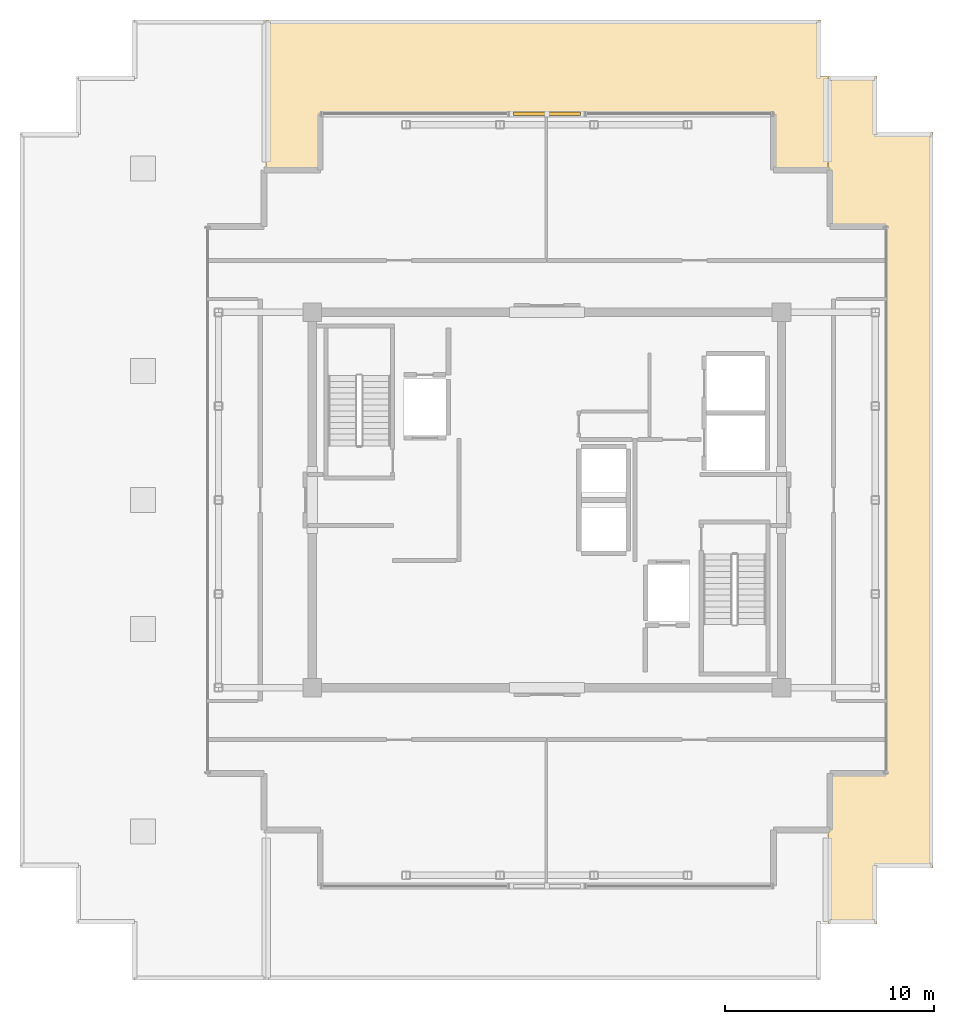
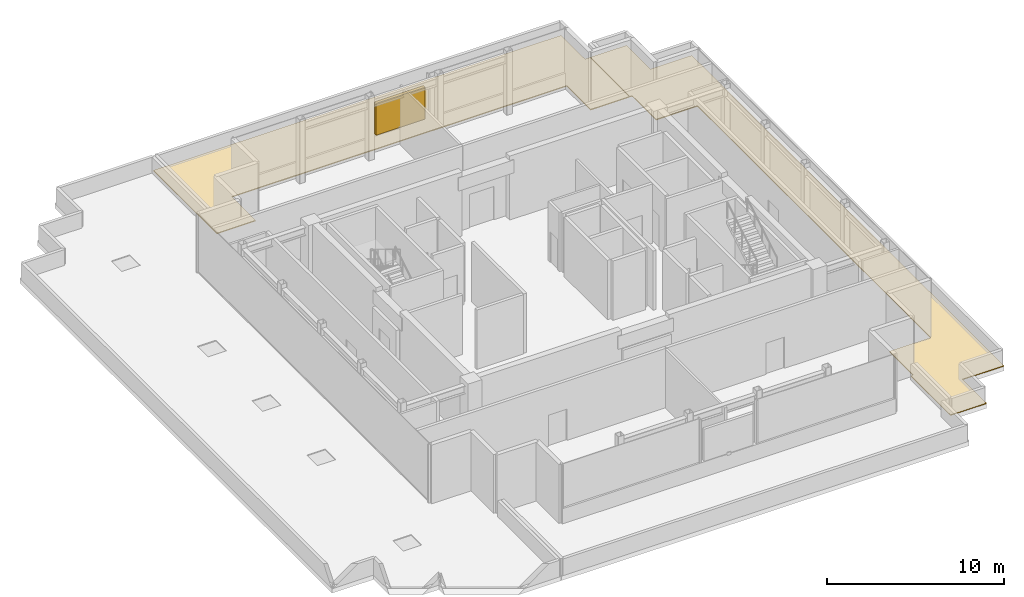
# One storey, part 14 of 14: 2 coverings, 1 shading device.
"""IFC4 building model written with IfcOpenShell, lengths in metres."""

from ifc_helpers import new_model, si_unit, direction, frame, origin, origin_2d, place, context, subcontext, project, spatial, polyline, rectangle, outline, extrude, source, transform, mapped, material, layer, layer_set, type_object, element, save


model = new_model("IFC4")

# Units and contexts
model_context = context("Model", 3, precision=1e-05, world=origin(), true_north=direction((0.0, 1.0)))
body_context = subcontext(model_context, "Body", "Model", "MODEL_VIEW")
ifc_project = project(units=[si_unit("LENGTHUNIT", "METRE"), si_unit("AREAUNIT", "SQUARE_METRE"), si_unit("VOLUMEUNIT", "CUBIC_METRE"), si_unit("PLANEANGLEUNIT", "RADIAN"), si_unit("MASSUNIT", "GRAM", prefix="KILO")], contexts=[model_context])

# Site, building, storey
site_placement = place(None, origin())
site = spatial("IfcSite", under=ifc_project, at=site_placement, CompositionType="ELEMENT")
building_placement = place(site_placement, origin())
building = spatial("IfcBuilding", under=site, at=building_placement, Name="Nefas-Gora Pilgrimage Tower", CompositionType="ELEMENT")
storey_placement = place(building_placement, frame((0.0, 0.0, 358.60009765625)))
storey = spatial("IfcBuildingStorey", under=building, at=storey_placement, Name="L90", CompositionType="ELEMENT", Elevation=358.60009765625)

# Coverings
ifc_material_1 = material(Name="Elastomeric waterproof insulated roof membrane")
ifc_layer = layer(ifc_material_1, 0.06005859375)
ifc_layer_set = layer_set([ifc_layer], Name="Elastomeric waterproof insulated roof membrane")
covering_type = type_object("IfcCoveringType", Name="COV-ROOF-MEMB", PredefinedType="ROOFING", material=ifc_layer_set)
covering_1_placement = place(storey_placement, origin())
element("IfcCovering", 1, at=covering_1_placement, inside=storey, type_object=covering_type, Name="L90 Maintenance Roof Elastomeric Membrane 2", PredefinedType="ROOFING", context=body_context, shape_type="SweptSolid", body=[
    extrude(outline(polyline([(15.820068359375, -17.6201171875), (18.52001953125, -17.6201171875), (18.52001953125, 17.6201171875), (15.820068359375, 17.6201171875), (15.820068359375, 20.320068359375), (13.469970703125, 20.320068359375), (13.469970703125, 15.8701171875), (13.570068359375, 15.8701171875), (13.574951171875, 15.869873046875), (13.579833984375, 15.868896484375), (13.58447265625, 15.867919921875), (13.589111328125, 15.8662109375), (13.593505859375, 15.864013671875), (13.597900390625, 15.861572265625), (13.601806640625, 15.858642578125), (13.60546875, 15.85546875), (13.608642578125, 15.851806640625), (13.611572265625, 15.847900390625), (13.614013671875, 15.843505859375), (13.6162109375, 15.839111328125), (13.617919921875, 15.83447265625), (13.618896484375, 15.829833984375), (13.619873046875, 15.824951171875), (13.6201171875, 15.820068359375), (13.6201171875, 13.169921875), (16.27001953125, 13.169921875), (16.27490234375, 13.169921875), (16.27978515625, 13.1689453125), (16.284423828125, 13.167724609375), (16.2890625, 13.166259765625), (16.293701171875, 13.1640625), (16.2978515625, 13.16162109375), (16.3017578125, 13.15869140625), (16.305419921875, 13.155517578125), (16.30859375, 13.151611328125), (16.3115234375, 13.147705078125), (16.314208984375, 13.1435546875), (16.316162109375, 13.13916015625), (16.31787109375, 13.134521484375), (16.319091796875, 13.1298828125), (16.31982421875, 13.125), (16.320068359375, 13.1201171875), (16.320068359375, -13.1201171875), (16.31982421875, -13.125), (16.319091796875, -13.1298828125), (16.31787109375, -13.134521484375), (16.316162109375, -13.13916015625), (16.314208984375, -13.1435546875), (16.3115234375, -13.147705078125), (16.30859375, -13.151611328125), (16.305419921875, -13.155517578125), (16.3017578125, -13.15869140625), (16.2978515625, -13.16162109375), (16.293701171875, -13.1640625), (16.2890625, -13.166259765625), (16.284423828125, -13.167724609375), (16.27978515625, -13.1689453125), (16.27490234375, -13.169921875), (16.27001953125, -13.169921875), (13.6201171875, -13.169921875), (13.6201171875, -15.820068359375), (13.619873046875, -15.824951171875), (13.618896484375, -15.829833984375), (13.617919921875, -15.83447265625), (13.6162109375, -15.839111328125), (13.614013671875, -15.843505859375), (13.611572265625, -15.847900390625), (13.608642578125, -15.851806640625), (13.60546875, -15.85546875), (13.601806640625, -15.858642578125), (13.597900390625, -15.861572265625), (13.593505859375, -15.864013671875), (13.589111328125, -15.8662109375), (13.58447265625, -15.867919921875), (13.579833984375, -15.868896484375), (13.574951171875, -15.869873046875), (13.570068359375, -15.8701171875), (13.469970703125, -15.8701171875), (13.469970703125, -20.320068359375), (15.820068359375, -20.320068359375), (15.820068359375, -17.6201171875)])), origin(), (0.0, 0.0, 1.0), 0.059814453125),
])
covering_2_placement = place(storey_placement, origin())
element("IfcCovering", 2, at=covering_2_placement, inside=storey, type_object=covering_type, Name="L90 Maintenance Roof Elastomeric Membrane 3", PredefinedType="ROOFING", context=body_context, shape_type="SweptSolid", body=[
    extrude(outline(polyline([(-13.449951171875, 23.02001953125), (-13.449951171875, 15.8701171875), (-10.919921875, 15.8701171875), (-10.919921875, 18.52001953125), (-10.919921875, 18.52490234375), (-10.9189453125, 18.52978515625), (-10.917724609375, 18.534423828125), (-10.916259765625, 18.5390625), (-10.9140625, 18.543701171875), (-10.91162109375, 18.5478515625), (-10.90869140625, 18.5517578125), (-10.905517578125, 18.555419921875), (-10.901611328125, 18.55859375), (-10.897705078125, 18.5615234375), (-10.8935546875, 18.564208984375), (-10.88916015625, 18.566162109375), (-10.884521484375, 18.56787109375), (-10.8798828125, 18.569091796875), (-10.875, 18.56982421875), (-10.8701171875, 18.570068359375), (10.8701171875, 18.570068359375), (10.875, 18.56982421875), (10.8798828125, 18.569091796875), (10.884521484375, 18.56787109375), (10.88916015625, 18.566162109375), (10.8935546875, 18.564208984375), (10.897705078125, 18.5615234375), (10.901611328125, 18.55859375), (10.905517578125, 18.555419921875), (10.90869140625, 18.5517578125), (10.91162109375, 18.5478515625), (10.9140625, 18.543701171875), (10.916259765625, 18.5390625), (10.917724609375, 18.534423828125), (10.9189453125, 18.52978515625), (10.919921875, 18.52490234375), (10.919921875, 18.52001953125), (10.919921875, 15.8701171875), (13.449951171875, 15.8701171875), (13.449951171875, 20.320068359375), (13.1201171875, 20.320068359375), (13.1201171875, 23.02001953125), (-13.449951171875, 23.02001953125)])), origin(), (0.0, 0.0, 1.0), 0.059814453125),
])

# Shading device
ifc_material_2 = material(Name="Dark-bronze anodised aluminium acoustic storm louvre", Category="aluminium")
shading_device_type = type_object("IfcShadingDeviceType", Name="SHD-LOUVRE-JAL", PredefinedType="JALOUSIE", material=ifc_material_2)
shared_shape = source(origin(), body_context, "Body", "SweptSolid", [
    extrude(rectangle(XDim=3.199951171875, YDim=0.179931640625, at=origin_2d()), origin(), (0.0, 0.0, 1.0), 2.199951171875),
])
shading_device_placement = place(storey_placement, frame((0.0, 18.52001953125, 1.10009765625), z_axis=(0.0, 0.0, 1.0), x_axis=(1.0, 0.0, 0.0)))
element("IfcShadingDevice", 3, at=shading_device_placement, inside=storey, type_object=shading_device_type, Name="L90 High-Altitude Storm Louvre Assembly 5", PredefinedType="JALOUSIE", context=body_context, shape_type="MappedRepresentation", body=[
    mapped(shared_shape, transform((0.0, 0.0, 0.0), x_axis=(1.0, 0.0, 0.0), y_axis=(0.0, 1.0, 0.0), z_axis=(0.0, 0.0, 1.0), scale=1.0)),
])

save(model, "model.ifc")
